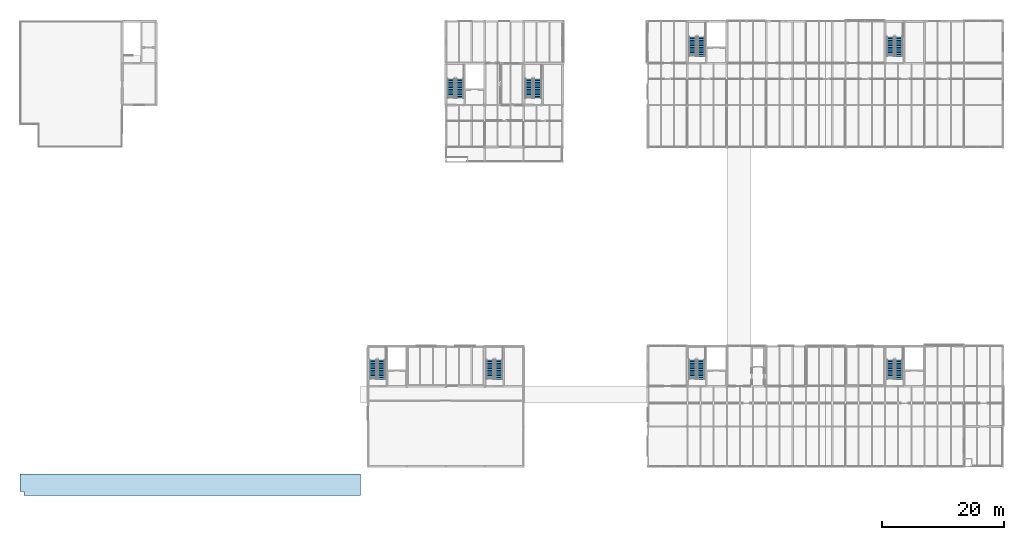
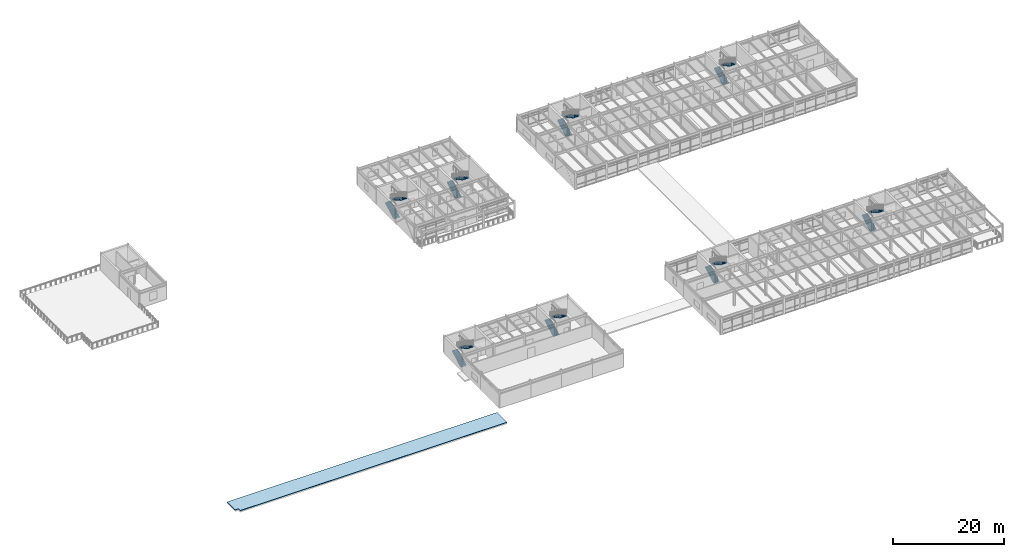
# One storey, part 44 of 49: 16 stair flights, 1 roof, 8 elements without a shape of their own.
"""IFC4 building model written with IfcOpenShell, lengths in metres."""

from ifc_helpers import new_model, si_unit, direction, frame, origin, place, context, subcontext, project, spatial, polyline, outline, extrude, material, layer, layer_set, type_object, element, aggregate, save


model = new_model("IFC4")

# Units and contexts
model_context = context("Model", 3, precision=1e-05, world=origin(), true_north=direction((0.0, 1.0)))
body_context = subcontext(model_context, "Body", "Model", "MODEL_VIEW")
ifc_project = project(units=[si_unit("LENGTHUNIT", "METRE"), si_unit("AREAUNIT", "SQUARE_METRE"), si_unit("VOLUMEUNIT", "CUBIC_METRE"), si_unit("PLANEANGLEUNIT", "RADIAN"), si_unit("MASSUNIT", "GRAM", prefix="KILO")], contexts=[model_context])

# Site, building, storey
site_placement = place(None, origin())
site = spatial("IfcSite", under=ifc_project, at=site_placement, CompositionType="ELEMENT")
building_placement = place(site_placement, origin())
building = spatial("IfcBuilding", under=site, at=building_placement, Name="Trelmorton Wharf Fire Station", CompositionType="ELEMENT")
storey_placement = place(building_placement, frame((0.0, 0.0, 9.60009765625)))
storey = spatial("IfcBuildingStorey", under=building, at=storey_placement, Name="L02", CompositionType="ELEMENT", Elevation=9.60009765625)

# Stair, stair flights
ifc_material_1 = material(Name="Precast concrete 45 MPa", Category="concrete")
stair_type_1 = type_object("IfcStairType", Name="ST_TWO_390", PredefinedType="TWO_STRAIGHT_RUN_STAIR", material=ifc_material_1)
stair_1_placement = place(storey_placement, origin())
stair_1 = element("IfcStair", 1, at=stair_1_placement, inside=storey, type_object=stair_type_1, Name="Escape Stair ST2-L02", PredefinedType="TWO_STRAIGHT_RUN_STAIR")
ifc_layer_1 = layer(ifc_material_1, 0.139892578125)
ifc_layer_set_1 = layer_set([ifc_layer_1], Name="Precast concrete 45 MPa")
stair_flight_type_1 = type_object("IfcStairFlightType", Name="SF_PRE_120", PredefinedType="STRAIGHT", material=ifc_layer_set_1)
stair_flight_1_placement = place(storey_placement, frame((58.860107421875, 22.139892578125, 0.0), z_axis=(0.0, 0.0, 1.0), x_axis=(0.0, 1.0, 0.0)))
stair_flight_1 = element("IfcStairFlight", 2, at=stair_flight_1_placement, type_object=stair_flight_type_1, Name="ST2-L02 flight 1", NumberOfRisers=12, NumberOfTreads=11, PredefinedType="STRAIGHT", RiserHeight=0.1625, TreadLength=0.29, context=body_context, shape_type="SweptSolid", body=[
    extrude(outline(polyline([(0.0, 0.0), (0.0, 0.16259765625), (0.2900390625, 0.16259765625), (0.2900390625, 0.324951171875), (0.580078125, 0.324951171875), (0.580078125, 0.487548828125), (0.8701171875, 0.487548828125), (0.8701171875, 0.64990234375), (1.159912109375, 0.64990234375), (1.159912109375, 0.8125), (1.449951171875, 0.8125), (1.449951171875, 0.97509765625), (1.739990234375, 0.97509765625), (1.739990234375, 1.137451171875), (2.030029296875, 1.137451171875), (2.030029296875, 1.300048828125), (2.320068359375, 1.300048828125), (2.320068359375, 1.46240234375), (2.610107421875, 1.46240234375), (2.610107421875, 1.625), (2.89990234375, 1.625), (2.89990234375, 1.78759765625), (3.18994140625, 1.78759765625), (3.18994140625, 1.949951171875), (3.18994140625, 1.604248046875), (0.3271484375, 0.0), (0.0, 0.0)])), frame((0.0, 0.60009765625, 0.0), z_axis=(0.0, -1.0, 0.0), x_axis=(1.0, 0.0, 0.0)), (0.0, 0.0, 1.0), 1.199951171875),
])
stair_flight_2_placement = place(storey_placement, frame((60.260009765625, 25.330078125, 1.949951171875), z_axis=(0.0, 0.0, 1.0), x_axis=(0.0, -1.0, 0.0)))
stair_flight_2 = element("IfcStairFlight", 3, at=stair_flight_2_placement, type_object=stair_flight_type_1, Name="ST2-L02 flight 2", NumberOfRisers=12, NumberOfTreads=11, PredefinedType="STRAIGHT", RiserHeight=0.1625, TreadLength=0.29, context=body_context, shape_type="SweptSolid", body=[
    extrude(outline(polyline([(0.0, 0.0), (0.0, 0.16259765625), (0.2900390625, 0.16259765625), (0.2900390625, 0.324951171875), (0.580078125, 0.324951171875), (0.580078125, 0.487548828125), (0.8701171875, 0.487548828125), (0.8701171875, 0.64990234375), (1.159912109375, 0.64990234375), (1.159912109375, 0.8125), (1.449951171875, 0.8125), (1.449951171875, 0.97509765625), (1.739990234375, 0.97509765625), (1.739990234375, 1.137451171875), (2.030029296875, 1.137451171875), (2.030029296875, 1.300048828125), (2.320068359375, 1.300048828125), (2.320068359375, 1.46240234375), (2.610107421875, 1.46240234375), (2.610107421875, 1.625), (2.89990234375, 1.625), (2.89990234375, 1.78759765625), (3.18994140625, 1.78759765625), (3.18994140625, 1.949951171875), (3.18994140625, 1.604248046875), (0.3271484375, 0.0), (0.0, 0.0)])), frame((0.0, 0.60009765625, 0.0), z_axis=(0.0, -1.0, 0.0), x_axis=(1.0, 0.0, 0.0)), (0.0, 0.0, 1.0), 1.199951171875),
])
aggregate(stair_1, [stair_flight_1, stair_flight_2])

stair_2_placement = place(storey_placement, origin())
stair_2 = element("IfcStair", 4, at=stair_2_placement, inside=storey, type_object=stair_type_1, Name="Escape Stair ST4-L02", PredefinedType="TWO_STRAIGHT_RUN_STAIR")
stair_flight_3_placement = place(storey_placement, frame((111.360107421875, 22.139892578125, 0.0), z_axis=(0.0, 0.0, 1.0), x_axis=(0.0, 1.0, 0.0)))
stair_flight_3 = element("IfcStairFlight", 5, at=stair_flight_3_placement, type_object=stair_flight_type_1, Name="ST4-L02 flight 1", NumberOfRisers=12, NumberOfTreads=11, PredefinedType="STRAIGHT", RiserHeight=0.1625, TreadLength=0.29, context=body_context, shape_type="SweptSolid", body=[
    extrude(outline(polyline([(0.0, 0.0), (0.0, 0.16259765625), (0.2900390625, 0.16259765625), (0.2900390625, 0.324951171875), (0.580078125, 0.324951171875), (0.580078125, 0.487548828125), (0.8701171875, 0.487548828125), (0.8701171875, 0.64990234375), (1.159912109375, 0.64990234375), (1.159912109375, 0.8125), (1.449951171875, 0.8125), (1.449951171875, 0.97509765625), (1.739990234375, 0.97509765625), (1.739990234375, 1.137451171875), (2.030029296875, 1.137451171875), (2.030029296875, 1.300048828125), (2.320068359375, 1.300048828125), (2.320068359375, 1.46240234375), (2.610107421875, 1.46240234375), (2.610107421875, 1.625), (2.89990234375, 1.625), (2.89990234375, 1.78759765625), (3.18994140625, 1.78759765625), (3.18994140625, 1.949951171875), (3.18994140625, 1.604248046875), (0.3271484375, 0.0), (0.0, 0.0)])), frame((0.0, 0.60009765625, 0.0), z_axis=(0.0, -1.0, 0.0), x_axis=(1.0, 0.0, 0.0)), (0.0, 0.0, 1.0), 1.199951171875),
])
stair_flight_4_placement = place(storey_placement, frame((112.760009765625, 25.330078125, 1.949951171875), z_axis=(0.0, 0.0, 1.0), x_axis=(0.0, -1.0, 0.0)))
stair_flight_4 = element("IfcStairFlight", 6, at=stair_flight_4_placement, type_object=stair_flight_type_1, Name="ST4-L02 flight 2", NumberOfRisers=12, NumberOfTreads=11, PredefinedType="STRAIGHT", RiserHeight=0.1625, TreadLength=0.29, context=body_context, shape_type="SweptSolid", body=[
    extrude(outline(polyline([(0.0, 0.0), (0.0, 0.16259765625), (0.2900390625, 0.16259765625), (0.2900390625, 0.324951171875), (0.580078125, 0.324951171875), (0.580078125, 0.487548828125), (0.8701171875, 0.487548828125), (0.8701171875, 0.64990234375), (1.159912109375, 0.64990234375), (1.159912109375, 0.8125), (1.449951171875, 0.8125), (1.449951171875, 0.97509765625), (1.739990234375, 0.97509765625), (1.739990234375, 1.137451171875), (2.030029296875, 1.137451171875), (2.030029296875, 1.300048828125), (2.320068359375, 1.300048828125), (2.320068359375, 1.46240234375), (2.610107421875, 1.46240234375), (2.610107421875, 1.625), (2.89990234375, 1.625), (2.89990234375, 1.78759765625), (3.18994140625, 1.78759765625), (3.18994140625, 1.949951171875), (3.18994140625, 1.604248046875), (0.3271484375, 0.0), (0.0, 0.0)])), frame((0.0, 0.60009765625, 0.0), z_axis=(0.0, -1.0, 0.0), x_axis=(1.0, 0.0, 0.0)), (0.0, 0.0, 1.0), 1.199951171875),
])
aggregate(stair_2, [stair_flight_3, stair_flight_4])

stair_3_placement = place(storey_placement, origin())
stair_3 = element("IfcStair", 7, at=stair_3_placement, inside=storey, type_object=stair_type_1, Name="Escape Stair ST3-L02", PredefinedType="TWO_STRAIGHT_RUN_STAIR")
ifc_layer_2 = layer(ifc_material_1, 0.159912109375)
ifc_layer_set_2 = layer_set([ifc_layer_2], Name="Precast concrete 45 MPa")
stair_flight_type_2 = type_object("IfcStairFlightType", Name="SF_PRE_124", PredefinedType="STRAIGHT", material=ifc_layer_set_2)
stair_flight_5_placement = place(storey_placement, frame((78.080078125, 22.139892578125, 0.0), z_axis=(0.0, 0.0, 1.0), x_axis=(0.0, 1.0, 0.0)))
stair_flight_5 = element("IfcStairFlight", 8, at=stair_flight_5_placement, type_object=stair_flight_type_2, Name="ST3-L02 flight 1", NumberOfRisers=12, NumberOfTreads=11, PredefinedType="STRAIGHT", RiserHeight=0.1625, TreadLength=0.29, context=body_context, shape_type="SweptSolid", body=[
    extrude(outline(polyline([(0.0, 0.0), (0.0, 0.16259765625), (0.2900390625, 0.16259765625), (0.2900390625, 0.324951171875), (0.580078125, 0.324951171875), (0.580078125, 0.487548828125), (0.8701171875, 0.487548828125), (0.8701171875, 0.64990234375), (1.159912109375, 0.64990234375), (1.159912109375, 0.8125), (1.449951171875, 0.8125), (1.449951171875, 0.97509765625), (1.739990234375, 0.97509765625), (1.739990234375, 1.137451171875), (2.030029296875, 1.137451171875), (2.030029296875, 1.300048828125), (2.320068359375, 1.300048828125), (2.320068359375, 1.46240234375), (2.610107421875, 1.46240234375), (2.610107421875, 1.625), (2.89990234375, 1.625), (2.89990234375, 1.78759765625), (3.18994140625, 1.78759765625), (3.18994140625, 1.949951171875), (3.18994140625, 1.604248046875), (0.3271484375, 0.0), (0.0, 0.0)])), frame((0.0, 0.6201171875, 0.0), z_axis=(0.0, -1.0, 0.0), x_axis=(1.0, 0.0, 0.0)), (0.0, 0.0, 1.0), 1.239990234375),
])
stair_flight_6_placement = place(storey_placement, frame((79.52001953125, 25.330078125, 1.949951171875), z_axis=(0.0, 0.0, 1.0), x_axis=(0.0, -1.0, 0.0)))
stair_flight_6 = element("IfcStairFlight", 9, at=stair_flight_6_placement, type_object=stair_flight_type_2, Name="ST3-L02 flight 2", NumberOfRisers=12, NumberOfTreads=11, PredefinedType="STRAIGHT", RiserHeight=0.1625, TreadLength=0.29, context=body_context, shape_type="SweptSolid", body=[
    extrude(outline(polyline([(0.0, 0.0), (0.0, 0.16259765625), (0.2900390625, 0.16259765625), (0.2900390625, 0.324951171875), (0.580078125, 0.324951171875), (0.580078125, 0.487548828125), (0.8701171875, 0.487548828125), (0.8701171875, 0.64990234375), (1.159912109375, 0.64990234375), (1.159912109375, 0.8125), (1.449951171875, 0.8125), (1.449951171875, 0.97509765625), (1.739990234375, 0.97509765625), (1.739990234375, 1.137451171875), (2.030029296875, 1.137451171875), (2.030029296875, 1.300048828125), (2.320068359375, 1.300048828125), (2.320068359375, 1.46240234375), (2.610107421875, 1.46240234375), (2.610107421875, 1.625), (2.89990234375, 1.625), (2.89990234375, 1.78759765625), (3.18994140625, 1.78759765625), (3.18994140625, 1.949951171875), (3.18994140625, 1.604248046875), (0.3271484375, 0.0), (0.0, 0.0)])), frame((0.0, 0.6201171875, 0.0), z_axis=(0.0, -1.0, 0.0), x_axis=(1.0, 0.0, 0.0)), (0.0, 0.0, 1.0), 1.239990234375),
])
aggregate(stair_3, [stair_flight_5, stair_flight_6])

stair_type_2 = type_object("IfcStairType", Name="ST_DOG_390", PredefinedType="HALF_TURN_STAIR", material=ifc_material_1)
stair_4_placement = place(storey_placement, origin())
stair_4 = element("IfcStair", 10, at=stair_4_placement, inside=storey, type_object=stair_type_2, Name="Escape Stair ST5-L02", PredefinedType="HALF_TURN_STAIR")
stair_flight_7_placement = place(storey_placement, frame((143.8798828125, 22.139892578125, 0.0), z_axis=(0.0, 0.0, 1.0), x_axis=(0.0, 1.0, 0.0)))
stair_flight_7 = element("IfcStairFlight", 11, at=stair_flight_7_placement, type_object=stair_flight_type_2, Name="ST5-L02 flight 1", NumberOfRisers=12, NumberOfTreads=11, PredefinedType="STRAIGHT", RiserHeight=0.1625, TreadLength=0.29, context=body_context, shape_type="SweptSolid", body=[
    extrude(outline(polyline([(0.0, 0.0), (0.0, 0.16259765625), (0.2900390625, 0.16259765625), (0.2900390625, 0.324951171875), (0.580078125, 0.324951171875), (0.580078125, 0.487548828125), (0.8701171875, 0.487548828125), (0.8701171875, 0.64990234375), (1.159912109375, 0.64990234375), (1.159912109375, 0.8125), (1.449951171875, 0.8125), (1.449951171875, 0.97509765625), (1.739990234375, 0.97509765625), (1.739990234375, 1.137451171875), (2.030029296875, 1.137451171875), (2.030029296875, 1.300048828125), (2.320068359375, 1.300048828125), (2.320068359375, 1.46240234375), (2.610107421875, 1.46240234375), (2.610107421875, 1.625), (2.89990234375, 1.625), (2.89990234375, 1.78759765625), (3.18994140625, 1.78759765625), (3.18994140625, 1.949951171875), (3.18994140625, 1.604248046875), (0.3271484375, 0.0), (0.0, 0.0)])), frame((0.0, 0.6201171875, 0.0), z_axis=(0.0, -1.0, 0.0), x_axis=(1.0, 0.0, 0.0)), (0.0, 0.0, 1.0), 1.239990234375),
])
stair_flight_8_placement = place(storey_placement, frame((145.320068359375, 25.330078125, 1.949951171875), z_axis=(0.0, 0.0, 1.0), x_axis=(0.0, -1.0, 0.0)))
stair_flight_8 = element("IfcStairFlight", 12, at=stair_flight_8_placement, type_object=stair_flight_type_2, Name="ST5-L02 flight 2", NumberOfRisers=12, NumberOfTreads=11, PredefinedType="STRAIGHT", RiserHeight=0.1625, TreadLength=0.29, context=body_context, shape_type="SweptSolid", body=[
    extrude(outline(polyline([(0.0, 0.0), (0.0, 0.16259765625), (0.2900390625, 0.16259765625), (0.2900390625, 0.324951171875), (0.580078125, 0.324951171875), (0.580078125, 0.487548828125), (0.8701171875, 0.487548828125), (0.8701171875, 0.64990234375), (1.159912109375, 0.64990234375), (1.159912109375, 0.8125), (1.449951171875, 0.8125), (1.449951171875, 0.97509765625), (1.739990234375, 0.97509765625), (1.739990234375, 1.137451171875), (2.030029296875, 1.137451171875), (2.030029296875, 1.300048828125), (2.320068359375, 1.300048828125), (2.320068359375, 1.46240234375), (2.610107421875, 1.46240234375), (2.610107421875, 1.625), (2.89990234375, 1.625), (2.89990234375, 1.78759765625), (3.18994140625, 1.78759765625), (3.18994140625, 1.949951171875), (3.18994140625, 1.604248046875), (0.3271484375, 0.0), (0.0, 0.0)])), frame((0.0, 0.6201171875, 0.0), z_axis=(0.0, -1.0, 0.0), x_axis=(1.0, 0.0, 0.0)), (0.0, 0.0, 1.0), 1.239990234375),
])
aggregate(stair_4, [stair_flight_7, stair_flight_8])

stair_5_placement = place(storey_placement, origin())
stair_5 = element("IfcStair", 13, at=stair_5_placement, inside=storey, type_object=stair_type_2, Name="Escape Stair ST8-L02", PredefinedType="HALF_TURN_STAIR")
stair_flight_9_placement = place(storey_placement, frame((71.679931640625, 68.340087890625, 0.0), z_axis=(0.0, 0.0, 1.0), x_axis=(0.0, 1.0, 0.0)))
stair_flight_9 = element("IfcStairFlight", 14, at=stair_flight_9_placement, type_object=stair_flight_type_2, Name="ST8-L02 flight 1", NumberOfRisers=12, NumberOfTreads=11, PredefinedType="STRAIGHT", RiserHeight=0.1625, TreadLength=0.29, context=body_context, shape_type="SweptSolid", body=[
    extrude(outline(polyline([(0.0, 0.0), (0.0, 0.16259765625), (0.2900390625, 0.16259765625), (0.2900390625, 0.324951171875), (0.580078125, 0.324951171875), (0.580078125, 0.487548828125), (0.8701171875, 0.487548828125), (0.8701171875, 0.64990234375), (1.159912109375, 0.64990234375), (1.159912109375, 0.8125), (1.449951171875, 0.8125), (1.449951171875, 0.97509765625), (1.739990234375, 0.97509765625), (1.739990234375, 1.137451171875), (2.030029296875, 1.137451171875), (2.030029296875, 1.300048828125), (2.320068359375, 1.300048828125), (2.320068359375, 1.46240234375), (2.610107421875, 1.46240234375), (2.610107421875, 1.625), (2.89990234375, 1.625), (2.89990234375, 1.78759765625), (3.18994140625, 1.78759765625), (3.18994140625, 1.949951171875), (3.18994140625, 1.604248046875), (0.3271484375, 0.0), (0.0, 0.0)])), frame((0.0, 0.6201171875, 0.0), z_axis=(0.0, -1.0, 0.0), x_axis=(1.0, 0.0, 0.0)), (0.0, 0.0, 1.0), 1.239990234375),
])
stair_flight_10_placement = place(storey_placement, frame((73.1201171875, 71.530029296875, 1.949951171875), z_axis=(0.0, 0.0, 1.0), x_axis=(0.0, -1.0, 0.0)))
stair_flight_10 = element("IfcStairFlight", 15, at=stair_flight_10_placement, type_object=stair_flight_type_2, Name="ST8-L02 flight 2", NumberOfRisers=12, NumberOfTreads=11, PredefinedType="STRAIGHT", RiserHeight=0.1625, TreadLength=0.29, context=body_context, shape_type="SweptSolid", body=[
    extrude(outline(polyline([(0.0, 0.0), (0.0, 0.16259765625), (0.2900390625, 0.16259765625), (0.2900390625, 0.324951171875), (0.580078125, 0.324951171875), (0.580078125, 0.487548828125), (0.8701171875, 0.487548828125), (0.8701171875, 0.64990234375), (1.159912109375, 0.64990234375), (1.159912109375, 0.8125), (1.449951171875, 0.8125), (1.449951171875, 0.97509765625), (1.739990234375, 0.97509765625), (1.739990234375, 1.137451171875), (2.030029296875, 1.137451171875), (2.030029296875, 1.300048828125), (2.320068359375, 1.300048828125), (2.320068359375, 1.46240234375), (2.610107421875, 1.46240234375), (2.610107421875, 1.625), (2.89990234375, 1.625), (2.89990234375, 1.78759765625), (3.18994140625, 1.78759765625), (3.18994140625, 1.949951171875), (3.18994140625, 1.604248046875), (0.3271484375, 0.0), (0.0, 0.0)])), frame((0.0, 0.6201171875, 0.0), z_axis=(0.0, -1.0, 0.0), x_axis=(1.0, 0.0, 0.0)), (0.0, 0.0, 1.0), 1.239990234375),
])
aggregate(stair_5, [stair_flight_9, stair_flight_10])

stair_6_placement = place(storey_placement, origin())
stair_6 = element("IfcStair", 16, at=stair_6_placement, inside=storey, type_object=stair_type_2, Name="Escape Stair ST9-L02", PredefinedType="HALF_TURN_STAIR")
stair_flight_11_placement = place(storey_placement, frame((84.47998046875, 68.340087890625, 0.0), z_axis=(0.0, 0.0, 1.0), x_axis=(0.0, 1.0, 0.0)))
stair_flight_11 = element("IfcStairFlight", 17, at=stair_flight_11_placement, type_object=stair_flight_type_2, Name="ST9-L02 flight 1", NumberOfRisers=12, NumberOfTreads=11, PredefinedType="STRAIGHT", RiserHeight=0.1625, TreadLength=0.29, context=body_context, shape_type="SweptSolid", body=[
    extrude(outline(polyline([(0.0, 0.0), (0.0, 0.16259765625), (0.2900390625, 0.16259765625), (0.2900390625, 0.324951171875), (0.580078125, 0.324951171875), (0.580078125, 0.487548828125), (0.8701171875, 0.487548828125), (0.8701171875, 0.64990234375), (1.159912109375, 0.64990234375), (1.159912109375, 0.8125), (1.449951171875, 0.8125), (1.449951171875, 0.97509765625), (1.739990234375, 0.97509765625), (1.739990234375, 1.137451171875), (2.030029296875, 1.137451171875), (2.030029296875, 1.300048828125), (2.320068359375, 1.300048828125), (2.320068359375, 1.46240234375), (2.610107421875, 1.46240234375), (2.610107421875, 1.625), (2.89990234375, 1.625), (2.89990234375, 1.78759765625), (3.18994140625, 1.78759765625), (3.18994140625, 1.949951171875), (3.18994140625, 1.604248046875), (0.3271484375, 0.0), (0.0, 0.0)])), frame((0.0, 0.6201171875, 0.0), z_axis=(0.0, -1.0, 0.0), x_axis=(1.0, 0.0, 0.0)), (0.0, 0.0, 1.0), 1.239990234375),
])
stair_flight_12_placement = place(storey_placement, frame((85.919921875, 71.530029296875, 1.949951171875), z_axis=(0.0, 0.0, 1.0), x_axis=(0.0, -1.0, 0.0)))
stair_flight_12 = element("IfcStairFlight", 18, at=stair_flight_12_placement, type_object=stair_flight_type_2, Name="ST9-L02 flight 2", NumberOfRisers=12, NumberOfTreads=11, PredefinedType="STRAIGHT", RiserHeight=0.1625, TreadLength=0.29, context=body_context, shape_type="SweptSolid", body=[
    extrude(outline(polyline([(0.0, 0.0), (0.0, 0.16259765625), (0.2900390625, 0.16259765625), (0.2900390625, 0.324951171875), (0.580078125, 0.324951171875), (0.580078125, 0.487548828125), (0.8701171875, 0.487548828125), (0.8701171875, 0.64990234375), (1.159912109375, 0.64990234375), (1.159912109375, 0.8125), (1.449951171875, 0.8125), (1.449951171875, 0.97509765625), (1.739990234375, 0.97509765625), (1.739990234375, 1.137451171875), (2.030029296875, 1.137451171875), (2.030029296875, 1.300048828125), (2.320068359375, 1.300048828125), (2.320068359375, 1.46240234375), (2.610107421875, 1.46240234375), (2.610107421875, 1.625), (2.89990234375, 1.625), (2.89990234375, 1.78759765625), (3.18994140625, 1.78759765625), (3.18994140625, 1.949951171875), (3.18994140625, 1.604248046875), (0.3271484375, 0.0), (0.0, 0.0)])), frame((0.0, 0.6201171875, 0.0), z_axis=(0.0, -1.0, 0.0), x_axis=(1.0, 0.0, 0.0)), (0.0, 0.0, 1.0), 1.239990234375),
])
aggregate(stair_6, [stair_flight_11, stair_flight_12])

stair_7_placement = place(storey_placement, origin())
stair_7 = element("IfcStair", 19, at=stair_7_placement, inside=storey, type_object=stair_type_2, Name="Escape Stair ST10-L02", PredefinedType="HALF_TURN_STAIR")
stair_flight_13_placement = place(storey_placement, frame((111.3798828125, 75.239990234375, 0.0), z_axis=(0.0, 0.0, 1.0), x_axis=(0.0, 1.0, 0.0)))
stair_flight_13 = element("IfcStairFlight", 20, at=stair_flight_13_placement, type_object=stair_flight_type_2, Name="ST10-L02 flight 1", NumberOfRisers=12, NumberOfTreads=11, PredefinedType="STRAIGHT", RiserHeight=0.1625, TreadLength=0.29, context=body_context, shape_type="SweptSolid", body=[
    extrude(outline(polyline([(0.0, 0.0), (0.0, 0.16259765625), (0.2900390625, 0.16259765625), (0.2900390625, 0.324951171875), (0.580078125, 0.324951171875), (0.580078125, 0.487548828125), (0.8701171875, 0.487548828125), (0.8701171875, 0.64990234375), (1.159912109375, 0.64990234375), (1.159912109375, 0.8125), (1.449951171875, 0.8125), (1.449951171875, 0.97509765625), (1.739990234375, 0.97509765625), (1.739990234375, 1.137451171875), (2.030029296875, 1.137451171875), (2.030029296875, 1.300048828125), (2.320068359375, 1.300048828125), (2.320068359375, 1.46240234375), (2.610107421875, 1.46240234375), (2.610107421875, 1.625), (2.89990234375, 1.625), (2.89990234375, 1.78759765625), (3.18994140625, 1.78759765625), (3.18994140625, 1.949951171875), (3.18994140625, 1.604248046875), (0.3271484375, 0.0), (0.0, 0.0)])), frame((0.0, 0.6201171875, 0.0), z_axis=(0.0, -1.0, 0.0), x_axis=(1.0, 0.0, 0.0)), (0.0, 0.0, 1.0), 1.239990234375),
])
stair_flight_14_placement = place(storey_placement, frame((112.820068359375, 78.429931640625, 1.949951171875), z_axis=(0.0, 0.0, 1.0), x_axis=(0.0, -1.0, 0.0)))
stair_flight_14 = element("IfcStairFlight", 21, at=stair_flight_14_placement, type_object=stair_flight_type_2, Name="ST10-L02 flight 2", NumberOfRisers=12, NumberOfTreads=11, PredefinedType="STRAIGHT", RiserHeight=0.1625, TreadLength=0.29, context=body_context, shape_type="SweptSolid", body=[
    extrude(outline(polyline([(0.0, 0.0), (0.0, 0.16259765625), (0.2900390625, 0.16259765625), (0.2900390625, 0.324951171875), (0.580078125, 0.324951171875), (0.580078125, 0.487548828125), (0.8701171875, 0.487548828125), (0.8701171875, 0.64990234375), (1.159912109375, 0.64990234375), (1.159912109375, 0.8125), (1.449951171875, 0.8125), (1.449951171875, 0.97509765625), (1.739990234375, 0.97509765625), (1.739990234375, 1.137451171875), (2.030029296875, 1.137451171875), (2.030029296875, 1.300048828125), (2.320068359375, 1.300048828125), (2.320068359375, 1.46240234375), (2.610107421875, 1.46240234375), (2.610107421875, 1.625), (2.89990234375, 1.625), (2.89990234375, 1.78759765625), (3.18994140625, 1.78759765625), (3.18994140625, 1.949951171875), (3.18994140625, 1.604248046875), (0.3271484375, 0.0), (0.0, 0.0)])), frame((0.0, 0.6201171875, 0.0), z_axis=(0.0, -1.0, 0.0), x_axis=(1.0, 0.0, 0.0)), (0.0, 0.0, 1.0), 1.239990234375),
])
aggregate(stair_7, [stair_flight_13, stair_flight_14])

stair_8_placement = place(storey_placement, origin())
stair_8 = element("IfcStair", 22, at=stair_8_placement, inside=storey, type_object=stair_type_2, Name="Escape Stair ST11-L02", PredefinedType="HALF_TURN_STAIR")
stair_flight_15_placement = place(storey_placement, frame((143.8798828125, 75.239990234375, 0.0), z_axis=(0.0, 0.0, 1.0), x_axis=(0.0, 1.0, 0.0)))
stair_flight_15 = element("IfcStairFlight", 23, at=stair_flight_15_placement, type_object=stair_flight_type_2, Name="ST11-L02 flight 1", NumberOfRisers=12, NumberOfTreads=11, PredefinedType="STRAIGHT", RiserHeight=0.1625, TreadLength=0.29, context=body_context, shape_type="SweptSolid", body=[
    extrude(outline(polyline([(0.0, 0.0), (0.0, 0.16259765625), (0.2900390625, 0.16259765625), (0.2900390625, 0.324951171875), (0.580078125, 0.324951171875), (0.580078125, 0.487548828125), (0.8701171875, 0.487548828125), (0.8701171875, 0.64990234375), (1.159912109375, 0.64990234375), (1.159912109375, 0.8125), (1.449951171875, 0.8125), (1.449951171875, 0.97509765625), (1.739990234375, 0.97509765625), (1.739990234375, 1.137451171875), (2.030029296875, 1.137451171875), (2.030029296875, 1.300048828125), (2.320068359375, 1.300048828125), (2.320068359375, 1.46240234375), (2.610107421875, 1.46240234375), (2.610107421875, 1.625), (2.89990234375, 1.625), (2.89990234375, 1.78759765625), (3.18994140625, 1.78759765625), (3.18994140625, 1.949951171875), (3.18994140625, 1.604248046875), (0.3271484375, 0.0), (0.0, 0.0)])), frame((0.0, 0.6201171875, 0.0), z_axis=(0.0, -1.0, 0.0), x_axis=(1.0, 0.0, 0.0)), (0.0, 0.0, 1.0), 1.239990234375),
])
stair_flight_16_placement = place(storey_placement, frame((145.320068359375, 78.429931640625, 1.949951171875), z_axis=(0.0, 0.0, 1.0), x_axis=(0.0, -1.0, 0.0)))
stair_flight_16 = element("IfcStairFlight", 24, at=stair_flight_16_placement, type_object=stair_flight_type_2, Name="ST11-L02 flight 2", NumberOfRisers=12, NumberOfTreads=11, PredefinedType="STRAIGHT", RiserHeight=0.1625, TreadLength=0.29, context=body_context, shape_type="SweptSolid", body=[
    extrude(outline(polyline([(0.0, 0.0), (0.0, 0.16259765625), (0.2900390625, 0.16259765625), (0.2900390625, 0.324951171875), (0.580078125, 0.324951171875), (0.580078125, 0.487548828125), (0.8701171875, 0.487548828125), (0.8701171875, 0.64990234375), (1.159912109375, 0.64990234375), (1.159912109375, 0.8125), (1.449951171875, 0.8125), (1.449951171875, 0.97509765625), (1.739990234375, 0.97509765625), (1.739990234375, 1.137451171875), (2.030029296875, 1.137451171875), (2.030029296875, 1.300048828125), (2.320068359375, 1.300048828125), (2.320068359375, 1.46240234375), (2.610107421875, 1.46240234375), (2.610107421875, 1.625), (2.89990234375, 1.625), (2.89990234375, 1.78759765625), (3.18994140625, 1.78759765625), (3.18994140625, 1.949951171875), (3.18994140625, 1.604248046875), (0.3271484375, 0.0), (0.0, 0.0)])), frame((0.0, 0.6201171875, 0.0), z_axis=(0.0, -1.0, 0.0), x_axis=(1.0, 0.0, 0.0)), (0.0, 0.0, 1.0), 1.239990234375),
])
aggregate(stair_8, [stair_flight_15, stair_flight_16])

# Roof
ifc_material_2 = material(Name="Planted roof substrate and sedum")
ifc_layer_3 = layer(ifc_material_2, 0.1201171875)
ifc_layer_set_3 = layer_set([ifc_layer_3], Name="Planted roof substrate and sedum")
roof_type = type_object("IfcRoofType", Name="RF_PLANTED_DECK", PredefinedType="FLAT_ROOF", material=ifc_layer_set_3)
roof_placement = place(storey_placement, origin())
element("IfcRoof", 25, at=roof_placement, inside=storey, type_object=roof_type, Name="RF-FLAT-V1-LOGGIA-ROOF", PredefinedType="FLAT_ROOF", context=body_context, shape_type="SweptSolid", body=[
    extrude(outline(polyline([(0.800048828125, 6.550048828125), (56.800048828125, 6.550048828125), (56.800048828125, 3.0), (1.449951171875, 3.0), (1.449951171875, 3.64990234375), (0.800048828125, 3.64990234375), (0.800048828125, 6.550048828125)])), origin(), (0.0, 0.0, 1.0), 0.119873046875),
])

save(model, "model.ifc")
